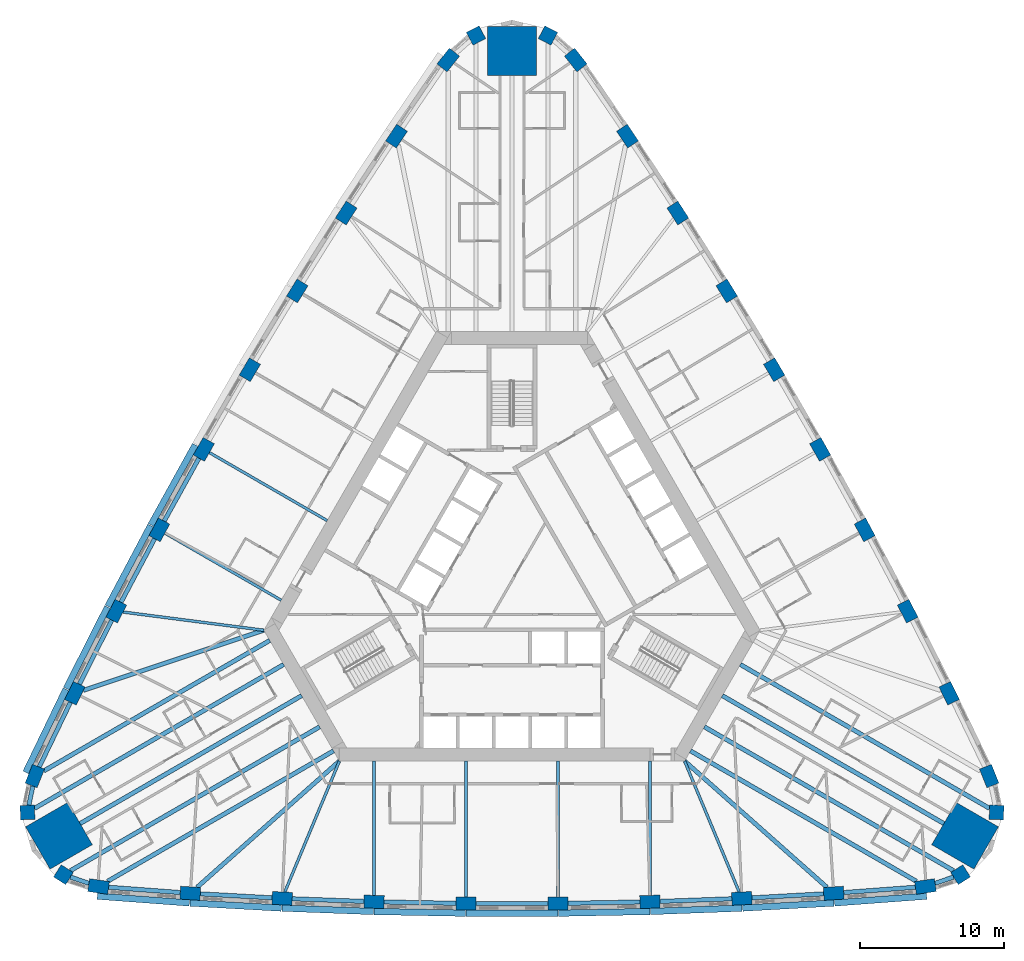
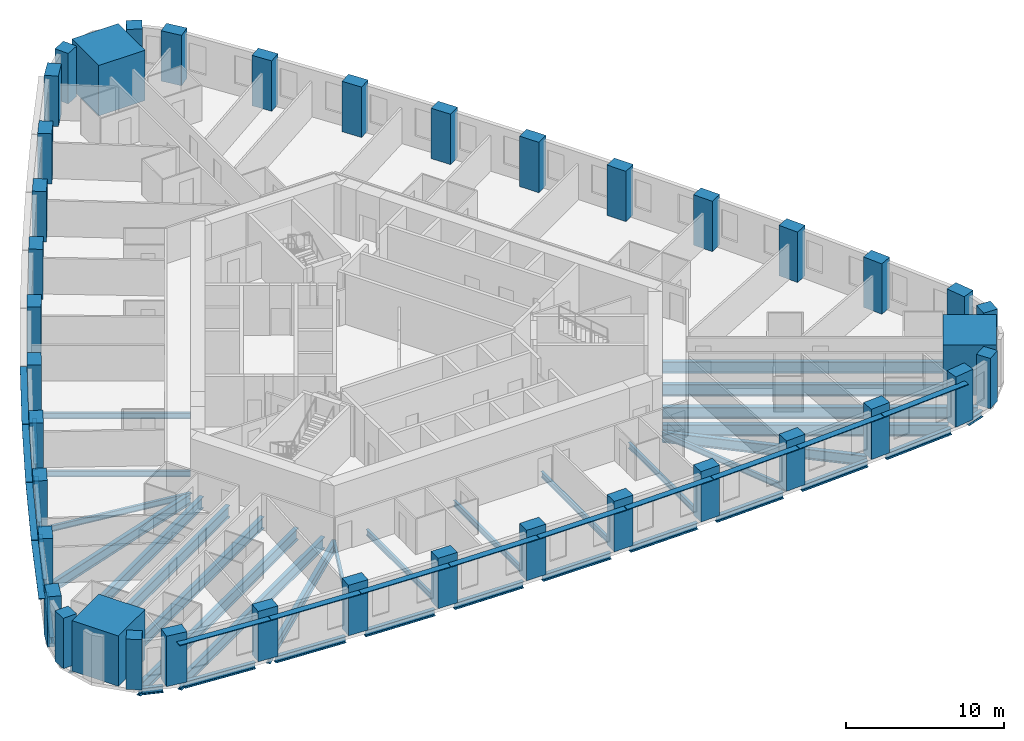
# One storey, part 1 of 13: 39 columns, 37 beams, 13 members.
"""IFC4 building model written with IfcOpenShell, lengths in metres."""

from ifc_helpers import new_model, si_unit, direction, frame, origin, origin_2d, place, context, subcontext, project, spatial, rectangle, i_section, extrude, material, material_profile, profile_set, type_object, element, save


model = new_model("IFC4")

# Units and contexts
model_context = context("Model", 3, precision=1e-05, world=origin(), true_north=direction((0.0, 1.0)))
body_context = subcontext(model_context, "Body", "Model", "MODEL_VIEW")
ifc_project = project(units=[si_unit("LENGTHUNIT", "METRE"), si_unit("AREAUNIT", "SQUARE_METRE"), si_unit("VOLUMEUNIT", "CUBIC_METRE"), si_unit("PLANEANGLEUNIT", "RADIAN"), si_unit("MASSUNIT", "GRAM", prefix="KILO")], contexts=[model_context])

# Site, building, storey
site_placement = place(None, origin())
site = spatial("IfcSite", under=ifc_project, at=site_placement, CompositionType="ELEMENT")
building_placement = place(site_placement, origin())
building = spatial("IfcBuilding", under=site, at=building_placement, Name="Mestral Congress Tower", CompositionType="ELEMENT")
storey_placement = place(building_placement, frame((0.0, 0.0, 58.800048828125)))
storey = spatial("IfcBuildingStorey", under=building, at=storey_placement, Name="L13", CompositionType="ELEMENT", Elevation=58.800048828125)

# Columns
ifc_material_1 = material(Name="Concrete C70/85", Category="concrete")
ifc_material_profile_1 = material_profile(ifc_material_1, rectangle(XDim=1.0, YDim=1.0, at=origin_2d()), Name="RC 1000x1000")
ifc_profile_set_1 = profile_set([ifc_material_profile_1], Name="Concrete C70/85")
column_type_1 = type_object("IfcColumnType", Name="Column RC 1000x1000 C70/85", PredefinedType="COLUMN", material=ifc_profile_set_1)
for number, where, z_axis, x_axis, name in (
    (1, (31.210205078125, -20.90966796875, 0.0), (0.0, 0.0, 1.0), (0.844485001826, 0.535579202071, 0.0), "COL-L13-C1-SE1"),
    (2, (33.71337890625, -16.573974609375, 0.0), (0.0, 0.0, 1.0), (0.041582693819, 0.999135065732, 0.0), "COL-L13-C1-SE3"),
    (3, (2.503173828125, 37.483642578125, 0.0), (0.0, 0.0, 1.0), (-0.886067695645, 0.463555863661, 0.0), "COL-L13-C1-N1"),
    (4, (-2.503173828125, 37.483642578125, 0.0), (0.0, 0.0, 1.0), (-0.886067695645, -0.463555863661, 0.0), "COL-L13-C1-N3"),
    (5, (-33.71337890625, -16.573974609375, 0.0), (0.0, 0.0, 1.0), (0.041582693819, -0.999135065732, 0.0), "COL-L13-C1-SW1"),
    (6, (-31.210205078125, -20.90966796875, 0.0), (0.0, 0.0, 1.0), (0.844485001826, -0.535579202071, 0.0), "COL-L13-C1-SW3"),
):
    element("IfcColumn", number, at=place(storey_placement, frame(where, z_axis=z_axis, x_axis=x_axis)), inside=storey, type_object=column_type_1, Name=name, PredefinedType="COLUMN", context=body_context, shape_type="SweptSolid", body=[
        extrude(rectangle(XDim=1.0, YDim=1.0, at=origin_2d()), origin(), (0.0, 0.0, 1.0), 3.89990234375),
    ])
ifc_material_profile_2 = material_profile(ifc_material_1, rectangle(XDim=1.39990234375, YDim=0.89990234375, at=origin_2d()), Name="RC 1400x900")
ifc_profile_set_2 = profile_set([ifc_material_profile_2], Name="Concrete C70/85")
column_type_2 = type_object("IfcColumnType", Name="Column RC 1400x900 C70/85", PredefinedType="COLUMN", material=ifc_profile_set_2)
for number, where, z_axis, x_axis, name in (
    (7, (-28.766845703125, -21.730712890625, 0.0), (0.0, 0.0, 1.0), (0.989423502484, -0.145055619443, 0.0), "COL-L13-C1-S00"),
    (8, (-22.384521484375, -22.20361328125, 0.0), (0.0, 0.0, 1.0), (0.997907501024, -0.064657709518, 0.0), "COL-L13-C1-S01"),
    (9, (-15.994384765625, -22.558349609375, 0.0), (0.0, 0.0, 1.0), (0.998932216029, -0.04619986774, 0.0), "COL-L13-C1-S02"),
    (10, (-9.598876953125, -22.794921875, 0.0), (0.0, 0.0, 1.0), (0.999615553977, -0.027726237529, 0.0), "COL-L13-C1-S03"),
    (11, (-3.199951171875, -22.9130859375, 0.0), (0.0, 0.0, 1.0), (0.999957281342, -0.009243132098, 0.0), "COL-L13-C1-S04"),
    (12, (3.199951171875, -22.9130859375, 0.0), (0.0, 0.0, 1.0), (0.999957281342, 0.009243132098, 0.0), "COL-L13-C1-S05"),
    (13, (9.598876953125, -22.794921875, 0.0), (0.0, 0.0, 1.0), (0.999615553977, 0.027726237529, 0.0), "COL-L13-C1-S06"),
    (14, (15.994384765625, -22.558349609375, 0.0), (0.0, 0.0, 1.0), (0.998932216029, 0.04619986774, 0.0), "COL-L13-C1-S07"),
    (15, (22.384521484375, -22.20361328125, 0.0), (0.0, 0.0, 1.0), (0.997907501024, 0.064657709518, 0.0), "COL-L13-C1-S08"),
    (16, (28.766845703125, -21.730712890625, 0.0), (0.0, 0.0, 1.0), (0.989423502484, 0.145055619443, 0.0), "COL-L13-C1-S09"),
    (17, (33.202880859375, -14.04736328125, 0.0), (0.0, 0.0, 1.0), (-0.369089899843, 0.929393697974, 0.0), "COL-L13-C1-E00"),
    (18, (30.421142578125, -8.28369140625, 0.0), (0.0, 0.0, 1.0), (-0.442958531519, 0.896542101273, 0.0), "COL-L13-C1-E01"),
    (19, (27.533203125, -2.572265625, 0.0), (0.0, 0.0, 1.0), (-0.4594558489, 0.88820060961, 0.0), "COL-L13-C1-E02"),
    (20, (24.540283203125, 3.084716796875, 0.0), (0.0, 0.0, 1.0), (-0.475796150937, 0.879555582526, 0.0), "COL-L13-C1-E03"),
    (21, (21.443359375, 8.685302734375, 0.0), (0.0, 0.0, 1.0), (-0.491973853463, 0.870609974391, 0.0), "COL-L13-C1-E04"),
    (22, (18.243408203125, 14.227783203125, 0.0), (0.0, 0.0, 1.0), (-0.507983427879, 0.861366842292, 0.0), "COL-L13-C1-E05"),
    (23, (14.941650390625, 19.710205078125, 0.0), (0.0, 0.0, 1.0), (-0.52381940304, 0.851829344998, 0.0), "COL-L13-C1-E06"),
    (24, (11.5390625, 25.130615234375, 0.0), (0.0, 0.0, 1.0), (-0.539476367129, 0.84200074187, 0.0), "COL-L13-C1-E07"),
    (25, (8.03662109375, 30.4873046875, 0.0), (0.0, 0.0, 1.0), (-0.554948969505, 0.831884391755, 0.0), "COL-L13-C1-E08"),
    (26, (4.43603515625, 35.7783203125, 0.0), (0.0, 0.0, 1.0), (-0.620333602641, 0.784338078531, 0.0), "COL-L13-C1-E09"),
    (27, (-4.43603515625, 35.7783203125, 0.0), (0.0, 0.0, 1.0), (-0.620333602641, -0.784338078531, 0.0), "COL-L13-C1-W00"),
    (28, (-8.03662109375, 30.4873046875, 0.0), (0.0, 0.0, 1.0), (-0.554948969505, -0.831884391755, 0.0), "COL-L13-C1-W01"),
    (29, (-11.5390625, 25.130615234375, 0.0), (0.0, 0.0, 1.0), (-0.539476367129, -0.84200074187, 0.0), "COL-L13-C1-W02"),
    (30, (-14.941650390625, 19.710205078125, 0.0), (0.0, 0.0, 1.0), (-0.52381940304, -0.851829344998, 0.0), "COL-L13-C1-W03"),
    (31, (-18.243408203125, 14.227783203125, 0.0), (0.0, 0.0, 1.0), (-0.507983427879, -0.861366842292, 0.0), "COL-L13-C1-W04"),
    (32, (-21.443359375, 8.685302734375, 0.0), (0.0, 0.0, 1.0), (-0.491973853463, -0.870609974391, 0.0), "COL-L13-C1-W05"),
    (33, (-24.540283203125, 3.084716796875, 0.0), (0.0, 0.0, 1.0), (-0.475796150937, -0.879555582526, 0.0), "COL-L13-C1-W06"),
    (34, (-27.533203125, -2.572265625, 0.0), (0.0, 0.0, 1.0), (-0.4594558489, -0.88820060961, 0.0), "COL-L13-C1-W07"),
    (35, (-30.421142578125, -8.28369140625, 0.0), (0.0, 0.0, 1.0), (-0.442958531519, -0.896542101273, 0.0), "COL-L13-C1-W08"),
    (36, (-33.202880859375, -14.04736328125, 0.0), (0.0, 0.0, 1.0), (-0.369089899843, -0.929393697974, 0.0), "COL-L13-C1-W09"),
):
    element("IfcColumn", number, at=place(storey_placement, frame(where, z_axis=z_axis, x_axis=x_axis)), inside=storey, type_object=column_type_2, Name=name, PredefinedType="COLUMN", context=body_context, shape_type="SweptSolid", body=[
        extrude(rectangle(XDim=1.39990234375, YDim=0.89990234375, at=origin_2d()), origin(), (0.0, 0.0, 1.0), 3.89990234375),
    ])
ifc_material_2 = material(Name="Concrete C80/95", Category="concrete")
ifc_material_profile_3 = material_profile(ifc_material_2, rectangle(XDim=3.39990234375, YDim=3.39990234375, at=origin_2d()), Name="RC 3400x3400")
ifc_profile_set_3 = profile_set([ifc_material_profile_3], Name="Concrete C80/95")
column_type_3 = type_object("IfcColumnType", Name="Mega column RC 3400x3400 C80/95", PredefinedType="COLUMN", material=ifc_profile_set_3)
for number, where, z_axis, x_axis, name in (
    (37, (31.5224609375, -18.199462890625, 0.0), (0.0, 0.0, 1.0), (0.866025403784, -0.5, 0.0), "COL-L13-PY1-SE"),
    (38, (0.0, 36.39892578125, 0.0), (0.0, 0.0, 1.0), (0.0, 1.0, 0.0), "COL-L13-PY1-N"),
    (39, (-31.5224609375, -18.199462890625, 0.0), (0.0, 0.0, 1.0), (-0.866025403784, -0.5, 0.0), "COL-L13-PY1-SW"),
):
    element("IfcColumn", number, at=place(storey_placement, frame(where, z_axis=z_axis, x_axis=x_axis)), inside=storey, type_object=column_type_3, Name=name, PredefinedType="COLUMN", context=body_context, shape_type="SweptSolid", body=[
        extrude(rectangle(XDim=3.39990234375, YDim=3.39990234375, at=origin_2d()), origin(), (0.0, 0.0, 1.0), 3.89990234375),
    ])

# Members
ifc_material_3 = material(Name="Glazed ceramic", Category="masonry")
ifc_material_profile_4 = material_profile(ifc_material_3, rectangle(XDim=0.449951171875, YDim=0.06005859375, at=origin_2d()), Name="Ceramic blade 450 x 60")
ifc_profile_set_4 = profile_set([ifc_material_profile_4], Name="Glazed ceramic")
member_type = type_object("IfcMemberType", Name="Facade sunshade blade 450 x 60", PredefinedType="USERDEFINED", material=ifc_profile_set_4)
member_1_placement = place(storey_placement, frame((-28.853271484375, -22.4013671875, 3.280029296875), z_axis=(0.997269829073, -0.073843672858, 0.0), x_axis=(0.073843672858, 0.997269829073, 0.0)))
element("IfcMember", 40, at=member_1_placement, inside=storey, type_object=member_type, Name="Sunshade F0-00", ObjectType="SUNSHADE", PredefinedType="USERDEFINED", context=body_context, shape_type="SweptSolid", body=[
    extrude(rectangle(XDim=0.449951171875, YDim=0.06005859375, at=origin_2d()), origin(), (0.0, 0.0, 1.0), 6.420654296875),
])
member_2_placement = place(storey_placement, frame((-22.406005859375, -22.87841796875, 3.280029296875), z_axis=(0.998462240013, -0.055436046654, 0.0), x_axis=(0.055436046654, 0.998462240013, 0.0)))
element("IfcMember", 41, at=member_2_placement, inside=storey, type_object=member_type, Name="Sunshade F0-01", ObjectType="SUNSHADE", PredefinedType="USERDEFINED", context=body_context, shape_type="SweptSolid", body=[
    extrude(rectangle(XDim=0.449951171875, YDim=0.06005859375, at=origin_2d()), origin(), (0.0, 0.0, 1.0), 6.3681640625),
])
member_3_placement = place(storey_placement, frame((-16.00341796875, -23.2333984375, 3.280029296875), z_axis=(0.99931546381, -0.036994645436, 0.0), x_axis=(0.036994645436, 0.99931546381, 0.0)))
element("IfcMember", 42, at=member_3_placement, inside=storey, type_object=member_type, Name="Sunshade F0-02", ObjectType="SUNSHADE", PredefinedType="USERDEFINED", context=body_context, shape_type="SweptSolid", body=[
    extrude(rectangle(XDim=0.449951171875, YDim=0.06005859375, at=origin_2d()), origin(), (0.0, 0.0, 1.0), 6.368408203125),
])
for number, where, z_axis, x_axis, name in (
    (43, (-9.595458984375, -23.47021484375, 3.280029296875), (0.99982925906, -0.018478439527, 0.0), (0.018478439527, 0.99982925906, 0.0), "Sunshade F0-03"),
    (44, (-3.18408203125, -23.588134765625, 3.280029296875), (1.0, 0.0, 0.0), (0.0, 1.0, 0.0), "Sunshade F0-04"),
    (45, (3.228271484375, -23.587890625, 3.280029296875), (0.99982925906, 0.018478439527, 0.0), (-0.018478439527, 0.99982925906, 0.0), "Sunshade F0-05"),
):
    element("IfcMember", number, at=place(storey_placement, frame(where, z_axis=z_axis, x_axis=x_axis)), inside=storey, type_object=member_type, Name=name, ObjectType="SUNSHADE", PredefinedType="USERDEFINED", context=body_context, shape_type="SweptSolid", body=[
        extrude(rectangle(XDim=0.449951171875, YDim=0.06005859375, at=origin_2d()), origin(), (0.0, 0.0, 1.0), 6.3681640625),
    ])
member_4_placement = place(storey_placement, frame((9.639404296875, -23.468994140625, 3.280029296875), z_axis=(0.99931546381, 0.036994645436, 0.0), x_axis=(-0.036994645436, 0.99931546381, 0.0)))
element("IfcMember", 46, at=member_4_placement, inside=storey, type_object=member_type, Name="Sunshade F0-06", ObjectType="SUNSHADE", PredefinedType="USERDEFINED", context=body_context, shape_type="SweptSolid", body=[
    extrude(rectangle(XDim=0.449951171875, YDim=0.06005859375, at=origin_2d()), origin(), (0.0, 0.0, 1.0), 6.368408203125),
])
member_5_placement = place(storey_placement, frame((16.047607421875, -23.2314453125, 3.280029296875), z_axis=(0.998462240013, 0.055436046654, 0.0), x_axis=(-0.055436046654, 0.998462240013, 0.0)))
element("IfcMember", 47, at=member_5_placement, inside=storey, type_object=member_type, Name="Sunshade F0-07", ObjectType="SUNSHADE", PredefinedType="USERDEFINED", context=body_context, shape_type="SweptSolid", body=[
    extrude(rectangle(XDim=0.449951171875, YDim=0.06005859375, at=origin_2d()), origin(), (0.0, 0.0, 1.0), 6.3681640625),
])
member_6_placement = place(storey_placement, frame((22.4501953125, -22.87548828125, 3.280029296875), z_axis=(0.997269829073, 0.073843672858, 0.0), x_axis=(-0.073843672858, 0.997269829073, 0.0)))
element("IfcMember", 48, at=member_6_placement, inside=storey, type_object=member_type, Name="Sunshade F0-08", ObjectType="SUNSHADE", PredefinedType="USERDEFINED", context=body_context, shape_type="SweptSolid", body=[
    extrude(rectangle(XDim=0.449951171875, YDim=0.06005859375, at=origin_2d()), origin(), (0.0, 0.0, 1.0), 6.420654296875),
])
for number, where, z_axis, x_axis, name in (
    (49, (-22.041748046875, 8.998291015625, 3.280029296875), (-0.483893994258, -0.875126620736, 0.0), (0.875126620736, -0.483893994258, 0.0), "Sunshade F2-05"),
    (50, (-25.144287109375, 3.38623046875, 3.280029296875), (-0.467674573128, -0.883900726128, 0.0), (0.883900726128, -0.467674573128, 0.0), "Sunshade F2-06"),
    (51, (-28.142822265625, -2.28173828125, 3.280029296875), (-0.451226804026, -0.892409307061, 0.0), (0.892409307061, -0.451226804026, 0.0), "Sunshade F2-07"),
):
    element("IfcMember", number, at=place(storey_placement, frame(where, z_axis=z_axis, x_axis=x_axis)), inside=storey, type_object=member_type, Name=name, ObjectType="SUNSHADE", PredefinedType="USERDEFINED", context=body_context, shape_type="SweptSolid", body=[
        extrude(rectangle(XDim=0.449951171875, YDim=0.06005859375, at=origin_2d()), origin(), (0.0, 0.0, 1.0), 6.3681640625),
    ])
member_7_placement = place(storey_placement, frame((-31.035888671875, -8.00439453125, 3.280029296875), z_axis=(-0.434637414368, -0.900605528537, 0.0), x_axis=(0.900605528537, -0.434637414368, 0.0)))
element("IfcMember", 52, at=member_7_placement, inside=storey, type_object=member_type, Name="Sunshade F2-08", ObjectType="SUNSHADE", PredefinedType="USERDEFINED", context=body_context, shape_type="SweptSolid", body=[
    extrude(rectangle(XDim=0.449951171875, YDim=0.06005859375, at=origin_2d()), origin(), (0.0, 0.0, 1.0), 6.4208984375),
])

# Beams
ifc_material_4 = material(Name="Steel S355", Category="steel")
ifc_material_profile_5 = material_profile(ifc_material_4, i_section(OverallWidth=0.300048828125, OverallDepth=0.800048828125, WebThickness=0.017578125, FlangeThickness=0.032958984375, FilletRadius=0.030029296875, at=origin_2d()), Name="HEB 800")
ifc_profile_set_5 = profile_set([ifc_material_profile_5], Name="Steel S355")
beam_type_1 = type_object("IfcBeamType", Name="Floor beam HEB 800 S355", PredefinedType="BEAM", material=ifc_profile_set_5)
for number, where, z_axis, x_axis, name in (
    (53, (-21.91064453125, -21.783447265625, -0.650146484375), (0.748091770025, 0.663595286015, 0.0), (-0.663595286015, 0.748091770025, 0.0), "BM-L13-RB1-S01"),
    (54, (21.91064453125, -21.783447265625, -0.650146484375), (-0.748091770025, 0.663595286015, 0.0), (-0.663595286015, -0.748091770025, 0.0), "BM-L13-RB1-S08"),
    (55, (-29.8203125, -8.08349609375, -0.650146484375), (0.948734931285, 0.316072824141, 0.0), (-0.316072824141, 0.948734931285, 0.0), "BM-L13-RB1-W08"),
):
    element("IfcBeam", number, at=place(storey_placement, frame(where, z_axis=z_axis, x_axis=x_axis)), inside=storey, type_object=beam_type_1, Name=name, PredefinedType="BEAM", context=body_context, shape_type="SweptSolid", body=[
        extrude(i_section(OverallWidth=0.300048828125, OverallDepth=0.800048828125, WebThickness=0.017578125, FlangeThickness=0.032958984375, FilletRadius=0.030029296875, at=origin_2d()), origin(), (0.0, 0.0, 1.0), 13.236083984375),
    ])
ifc_material_profile_6 = material_profile(ifc_material_4, i_section(OverallWidth=0.300048828125, OverallDepth=0.89990234375, WebThickness=0.0185546875, FlangeThickness=0.034912109375, FilletRadius=0.030029296875, at=origin_2d()), Name="HEB 900")
ifc_profile_set_6 = profile_set([ifc_material_profile_6], Name="Steel S355")
beam_type_2 = type_object("IfcBeamType", Name="Floor beam HEB 900 S355", PredefinedType="BEAM", material=ifc_profile_set_6)
for number, where, z_axis, x_axis, name in (
    (56, (-28.138671875, -21.3681640625, -0.699951171875), (0.866027243369, 0.499996813733, 0.0), (-0.499996813733, 0.866027243369, 0.0), "BM-L13-RB1-S00"),
    (57, (28.138671875, -21.3681640625, -0.699951171875), (-0.866027243369, 0.499996813733, 0.0), (-0.499996813733, -0.866027243369, 0.0), "BM-L13-RB1-S09"),
):
    element("IfcBeam", number, at=place(storey_placement, frame(where, z_axis=z_axis, x_axis=x_axis)), inside=storey, type_object=beam_type_2, Name=name, PredefinedType="BEAM", context=body_context, shape_type="SweptSolid", body=[
        extrude(i_section(OverallWidth=0.300048828125, OverallDepth=0.89990234375, WebThickness=0.0185546875, FlangeThickness=0.034912109375, FilletRadius=0.030029296875, at=origin_2d()), origin(), (0.0, 0.0, 1.0), 18.15283203125),
    ])
beam_1_placement = place(storey_placement, frame((30.721435546875, -20.62744140625, -0.699951171875), z_axis=(-0.866027382289, 0.499996573113, 0.0), x_axis=(-0.499996573113, -0.866027382289, 0.0)))
element("IfcBeam", 58, at=beam_1_placement, inside=storey, type_object=beam_type_2, Name="BM-L13-RB1-SE1", PredefinedType="BEAM", context=body_context, shape_type="SweptSolid", body=[
    extrude(i_section(OverallWidth=0.300048828125, OverallDepth=0.89990234375, WebThickness=0.0185546875, FlangeThickness=0.034912109375, FilletRadius=0.030029296875, at=origin_2d()), origin(), (0.0, 0.0, 1.0), 20.019287109375),
])
beam_2_placement = place(storey_placement, frame((30.050048828125, -17.349609375, -0.699951171875), z_axis=(-0.866020438056, 0.500008600796, 0.0), x_axis=(-0.500008600796, -0.866020438056, 0.0)))
element("IfcBeam", 59, at=beam_2_placement, inside=storey, type_object=beam_type_2, Name="BM-L13-RB1-SE", PredefinedType="BEAM", context=body_context, shape_type="SweptSolid", body=[
    extrude(i_section(OverallWidth=0.300048828125, OverallDepth=0.89990234375, WebThickness=0.0185546875, FlangeThickness=0.034912109375, FilletRadius=0.030029296875, at=origin_2d()), origin(), (0.0, 0.0, 1.0), 17.799072265625),
])
beam_3_placement = place(storey_placement, frame((33.224609375, -16.291748046875, -0.699951171875), z_axis=(-0.866027382289, 0.499996573113, 0.0), x_axis=(-0.499996573113, -0.866027382289, 0.0)))
element("IfcBeam", 60, at=beam_3_placement, inside=storey, type_object=beam_type_2, Name="BM-L13-RB1-SE3", PredefinedType="BEAM", context=body_context, shape_type="SweptSolid", body=[
    extrude(i_section(OverallWidth=0.300048828125, OverallDepth=0.89990234375, WebThickness=0.0185546875, FlangeThickness=0.034912109375, FilletRadius=0.030029296875, at=origin_2d()), origin(), (0.0, 0.0, 1.0), 20.019287109375),
])
beam_4_placement = place(storey_placement, frame((-32.574462890625, -13.6845703125, -0.699951171875), z_axis=(0.866029704776, 0.49999255039, 0.0), x_axis=(-0.49999255039, 0.866029704776, 0.0)))
element("IfcBeam", 61, at=beam_4_placement, inside=storey, type_object=beam_type_2, Name="BM-L13-RB1-W09", PredefinedType="BEAM", context=body_context, shape_type="SweptSolid", body=[
    extrude(i_section(OverallWidth=0.300048828125, OverallDepth=0.89990234375, WebThickness=0.0185546875, FlangeThickness=0.034912109375, FilletRadius=0.030029296875, at=origin_2d()), origin(), (0.0, 0.0, 1.0), 18.152587890625),
])
beam_5_placement = place(storey_placement, frame((-33.224609375, -16.291748046875, -0.699951171875), z_axis=(0.866027382289, 0.499996573113, 0.0), x_axis=(-0.499996573113, 0.866027382289, 0.0)))
element("IfcBeam", 62, at=beam_5_placement, inside=storey, type_object=beam_type_2, Name="BM-L13-RB1-SW1", PredefinedType="BEAM", context=body_context, shape_type="SweptSolid", body=[
    extrude(i_section(OverallWidth=0.300048828125, OverallDepth=0.89990234375, WebThickness=0.0185546875, FlangeThickness=0.034912109375, FilletRadius=0.030029296875, at=origin_2d()), origin(), (0.0, 0.0, 1.0), 20.019287109375),
])
beam_6_placement = place(storey_placement, frame((-30.050048828125, -17.349609375, -0.699951171875), z_axis=(0.866020438056, 0.500008600796, 0.0), x_axis=(-0.500008600796, 0.866020438056, 0.0)))
element("IfcBeam", 63, at=beam_6_placement, inside=storey, type_object=beam_type_2, Name="BM-L13-RB1-SW", PredefinedType="BEAM", context=body_context, shape_type="SweptSolid", body=[
    extrude(i_section(OverallWidth=0.300048828125, OverallDepth=0.89990234375, WebThickness=0.0185546875, FlangeThickness=0.034912109375, FilletRadius=0.030029296875, at=origin_2d()), origin(), (0.0, 0.0, 1.0), 17.799072265625),
])
beam_7_placement = place(storey_placement, frame((-30.721435546875, -20.62744140625, -0.699951171875), z_axis=(0.866027382289, 0.499996573113, 0.0), x_axis=(-0.499996573113, 0.866027382289, 0.0)))
element("IfcBeam", 64, at=beam_7_placement, inside=storey, type_object=beam_type_2, Name="BM-L13-RB1-SW3", PredefinedType="BEAM", context=body_context, shape_type="SweptSolid", body=[
    extrude(i_section(OverallWidth=0.300048828125, OverallDepth=0.89990234375, WebThickness=0.0185546875, FlangeThickness=0.034912109375, FilletRadius=0.030029296875, at=origin_2d()), origin(), (0.0, 0.0, 1.0), 20.019287109375),
])
ifc_material_profile_7 = material_profile(ifc_material_4, i_section(OverallWidth=0.18994140625, OverallDepth=0.449951171875, WebThickness=0.009521484375, FlangeThickness=0.0146484375, FilletRadius=0.02099609375, at=origin_2d()), Name="IPE 450")
ifc_profile_set_7 = profile_set([ifc_material_profile_7], Name="Steel S355")
beam_type_3 = type_object("IfcBeamType", Name="Floor beam IPE 450 S355", PredefinedType="BEAM", material=ifc_profile_set_7)
beam_8_placement = place(storey_placement, frame((-15.81005859375, -22.116455078125, -0.47509765625), z_axis=(0.384852309441, 0.922978168711, 0.0), x_axis=(-0.922978168711, 0.384852309441, 0.0)))
element("IfcBeam", 65, at=beam_8_placement, inside=storey, type_object=beam_type_3, Name="BM-L13-RB1-S02", PredefinedType="BEAM", context=body_context, shape_type="SweptSolid", body=[
    extrude(i_section(OverallWidth=0.18994140625, OverallDepth=0.449951171875, WebThickness=0.009521484375, FlangeThickness=0.0146484375, FilletRadius=0.02099609375, at=origin_2d()), origin(), (0.0, 0.0, 1.0), 9.877197265625),
])
beam_9_placement = place(storey_placement, frame((-9.598876953125, -22.3447265625, -0.47509765625), z_axis=(0.0, 1.0, 0.0), x_axis=(-1.0, 0.0, 0.0)))
element("IfcBeam", 66, at=beam_9_placement, inside=storey, type_object=beam_type_3, Name="BM-L13-RB1-S03", PredefinedType="BEAM", context=body_context, shape_type="SweptSolid", body=[
    extrude(i_section(OverallWidth=0.18994140625, OverallDepth=0.449951171875, WebThickness=0.009521484375, FlangeThickness=0.0146484375, FilletRadius=0.02099609375, at=origin_2d()), origin(), (0.0, 0.0, 1.0), 9.3447265625),
])
for number, where, z_axis, x_axis, name in (
    (67, (-3.199951171875, -22.463134765625, -0.47509765625), (0.0, 1.0, 0.0), (-1.0, 0.0, 0.0), "BM-L13-RB1-S04"),
    (68, (3.199951171875, -22.463134765625, -0.47509765625), (0.0, 1.0, 0.0), (-1.0, 0.0, 0.0), "BM-L13-RB1-S05"),
):
    element("IfcBeam", number, at=place(storey_placement, frame(where, z_axis=z_axis, x_axis=x_axis)), inside=storey, type_object=beam_type_3, Name=name, PredefinedType="BEAM", context=body_context, shape_type="SweptSolid", body=[
        extrude(i_section(OverallWidth=0.18994140625, OverallDepth=0.449951171875, WebThickness=0.009521484375, FlangeThickness=0.0146484375, FilletRadius=0.02099609375, at=origin_2d()), origin(), (0.0, 0.0, 1.0), 9.463134765625),
    ])
beam_10_placement = place(storey_placement, frame((9.598876953125, -22.3447265625, -0.47509765625), z_axis=(0.0, 1.0, 0.0), x_axis=(-1.0, 0.0, 0.0)))
element("IfcBeam", 69, at=beam_10_placement, inside=storey, type_object=beam_type_3, Name="BM-L13-RB1-S06", PredefinedType="BEAM", context=body_context, shape_type="SweptSolid", body=[
    extrude(i_section(OverallWidth=0.18994140625, OverallDepth=0.449951171875, WebThickness=0.009521484375, FlangeThickness=0.0146484375, FilletRadius=0.02099609375, at=origin_2d()), origin(), (0.0, 0.0, 1.0), 9.3447265625),
])
beam_11_placement = place(storey_placement, frame((15.81005859375, -22.116455078125, -0.47509765625), z_axis=(-0.384852309441, 0.922978168711, 0.0), x_axis=(-0.922978168711, -0.384852309441, 0.0)))
element("IfcBeam", 70, at=beam_11_placement, inside=storey, type_object=beam_type_3, Name="BM-L13-RB1-S07", PredefinedType="BEAM", context=body_context, shape_type="SweptSolid", body=[
    extrude(i_section(OverallWidth=0.18994140625, OverallDepth=0.449951171875, WebThickness=0.009521484375, FlangeThickness=0.0146484375, FilletRadius=0.02099609375, at=origin_2d()), origin(), (0.0, 0.0, 1.0), 9.877197265625),
])
beam_12_placement = place(storey_placement, frame((-21.0537109375, 8.46044921875, -0.47509765625), z_axis=(0.866019749231, -0.500009793847, 0.0), x_axis=(0.500009793847, 0.866019749231, 0.0)))
element("IfcBeam", 71, at=beam_12_placement, inside=storey, type_object=beam_type_3, Name="BM-L13-RB1-W05", PredefinedType="BEAM", context=body_context, shape_type="SweptSolid", body=[
    extrude(i_section(OverallWidth=0.18994140625, OverallDepth=0.449951171875, WebThickness=0.009521484375, FlangeThickness=0.0146484375, FilletRadius=0.02099609375, at=origin_2d()), origin(), (0.0, 0.0, 1.0), 9.463134765625),
])
beam_13_placement = place(storey_placement, frame((-24.150634765625, 2.859619140625, -0.47509765625), z_axis=(0.866032011123, -0.499988555579, 0.0), x_axis=(0.499988555579, 0.866032011123, 0.0)))
element("IfcBeam", 72, at=beam_13_placement, inside=storey, type_object=beam_type_3, Name="BM-L13-RB1-W06", PredefinedType="BEAM", context=body_context, shape_type="SweptSolid", body=[
    extrude(i_section(OverallWidth=0.18994140625, OverallDepth=0.449951171875, WebThickness=0.009521484375, FlangeThickness=0.0146484375, FilletRadius=0.02099609375, at=origin_2d()), origin(), (0.0, 0.0, 1.0), 9.344970703125),
])
beam_14_placement = place(storey_placement, frame((-27.058349609375, -2.6337890625, -0.47509765625), z_axis=(0.99175011495, -0.128186229747, 0.0), x_axis=(0.128186229747, 0.99175011495, 0.0)))
element("IfcBeam", 73, at=beam_14_placement, inside=storey, type_object=beam_type_3, Name="BM-L13-RB1-W07", PredefinedType="BEAM", context=body_context, shape_type="SweptSolid", body=[
    extrude(i_section(OverallWidth=0.18994140625, OverallDepth=0.449951171875, WebThickness=0.009521484375, FlangeThickness=0.0146484375, FilletRadius=0.02099609375, at=origin_2d()), origin(), (0.0, 0.0, 1.0), 9.877197265625),
])
ifc_material_profile_8 = material_profile(ifc_material_4, i_section(OverallWidth=0.300048828125, OverallDepth=0.489990234375, WebThickness=0.011962890625, FlangeThickness=0.02294921875, FilletRadius=0.027099609375, at=origin_2d()), Name="HEA 500")
ifc_profile_set_8 = profile_set([ifc_material_profile_8], Name="Steel S355")
beam_type_4 = type_object("IfcBeamType", Name="Spandrel beam HEA 500 S355", PredefinedType="BEAM", material=ifc_profile_set_8)
beam_15_placement = place(storey_placement, frame((-28.06689453125, -21.78271484375, -0.4951171875), z_axis=(0.997268820599, -0.073857291181, 0.0), x_axis=(0.073857291181, 0.997268820599, 0.0)))
element("IfcBeam", 74, at=beam_15_placement, inside=storey, type_object=beam_type_4, Name="SP-L13-SB1-S00", PredefinedType="BEAM", context=body_context, shape_type="SweptSolid", body=[
    extrude(i_section(OverallWidth=0.300048828125, OverallDepth=0.489990234375, WebThickness=0.011962890625, FlangeThickness=0.02294921875, FilletRadius=0.027099609375, at=origin_2d()), origin(), (0.0, 0.0, 1.0), 4.998046875),
])
for number, where, z_axis, x_axis, name in (
    (75, (-21.685546875, -22.242431640625, -0.4951171875), (0.998463056415, -0.055421340426, 0.0), (0.055421340426, 0.998463056415, 0.0), "SP-L13-SB1-S01"),
    (76, (-15.294677734375, -22.584228515625, -0.4951171875), (0.999316571833, -0.036964702901, 0.0), (0.036964702901, 0.999316571833, 0.0), "SP-L13-SB1-S02"),
    (77, (-8.89892578125, -22.807861328125, -0.4951171875), (0.999829645984, -0.018457492, 0.0), (0.018457492, 0.999829645984, 0.0), "SP-L13-SB1-S03"),
):
    element("IfcBeam", number, at=place(storey_placement, frame(where, z_axis=z_axis, x_axis=x_axis)), inside=storey, type_object=beam_type_4, Name=name, PredefinedType="BEAM", context=body_context, shape_type="SweptSolid", body=[
        extrude(i_section(OverallWidth=0.300048828125, OverallDepth=0.489990234375, WebThickness=0.011962890625, FlangeThickness=0.02294921875, FilletRadius=0.027099609375, at=origin_2d()), origin(), (0.0, 0.0, 1.0), 4.999755859375),
    ])
beam_16_placement = place(storey_placement, frame((-2.5, -22.9130859375, -0.4951171875), z_axis=(1.0, 0.0, 0.0), x_axis=(0.0, 1.0, 0.0)))
element("IfcBeam", 78, at=beam_16_placement, inside=storey, type_object=beam_type_4, Name="SP-L13-SB1-S04", PredefinedType="BEAM", context=body_context, shape_type="SweptSolid", body=[
    extrude(i_section(OverallWidth=0.300048828125, OverallDepth=0.489990234375, WebThickness=0.011962890625, FlangeThickness=0.02294921875, FilletRadius=0.027099609375, at=origin_2d()), origin(), (0.0, 0.0, 1.0), 5.0),
])
for number, where, z_axis, x_axis, name in (
    (79, (3.89990234375, -22.900146484375, -0.4951171875), (0.999829645984, 0.018457492, 0.0), (-0.018457492, 0.999829645984, 0.0), "SP-L13-SB1-S05"),
    (80, (10.29833984375, -22.76904296875, -0.4951171875), (0.999316571833, 0.036964702901, 0.0), (-0.036964702901, 0.999316571833, 0.0), "SP-L13-SB1-S06"),
    (81, (16.693359375, -22.51953125, -0.4951171875), (0.998463056415, 0.055421340426, 0.0), (-0.055421340426, 0.998463056415, 0.0), "SP-L13-SB1-S07"),
):
    element("IfcBeam", number, at=place(storey_placement, frame(where, z_axis=z_axis, x_axis=x_axis)), inside=storey, type_object=beam_type_4, Name=name, PredefinedType="BEAM", context=body_context, shape_type="SweptSolid", body=[
        extrude(i_section(OverallWidth=0.300048828125, OverallDepth=0.489990234375, WebThickness=0.011962890625, FlangeThickness=0.02294921875, FilletRadius=0.027099609375, at=origin_2d()), origin(), (0.0, 0.0, 1.0), 4.999755859375),
    ])
beam_17_placement = place(storey_placement, frame((23.08251953125, -22.15185546875, -0.4951171875), z_axis=(0.997268820599, 0.073857291181, 0.0), x_axis=(-0.073857291181, 0.997268820599, 0.0)))
element("IfcBeam", 82, at=beam_17_placement, inside=storey, type_object=beam_type_4, Name="SP-L13-SB1-S08", PredefinedType="BEAM", context=body_context, shape_type="SweptSolid", body=[
    extrude(i_section(OverallWidth=0.300048828125, OverallDepth=0.489990234375, WebThickness=0.011962890625, FlangeThickness=0.02294921875, FilletRadius=0.027099609375, at=origin_2d()), origin(), (0.0, 0.0, 1.0), 4.998046875),
])
beam_18_placement = place(storey_placement, frame((29.441162109375, -21.504150390625, -0.4951171875), z_axis=(0.947921796083, 0.318503168762, 0.0), x_axis=(-0.318503168762, 0.947921796083, 0.0)))
element("IfcBeam", 83, at=beam_18_placement, inside=storey, type_object=beam_type_4, Name="SP-L13-SB1-S09", PredefinedType="BEAM", context=body_context, shape_type="SweptSolid", body=[
    extrude(i_section(OverallWidth=0.300048828125, OverallDepth=0.489990234375, WebThickness=0.011962890625, FlangeThickness=0.02294921875, FilletRadius=0.027099609375, at=origin_2d()), origin(), (0.0, 0.0, 1.0), 1.351318359375),
])
beam_19_placement = place(storey_placement, frame((-21.7822265625, 8.07275390625, -0.4951171875), z_axis=(-0.483900688062, -0.875122919419, 0.0), x_axis=(0.875122919419, -0.483900688062, 0.0)))
element("IfcBeam", 84, at=beam_19_placement, inside=storey, type_object=beam_type_4, Name="SP-L13-SB1-W05", PredefinedType="BEAM", context=body_context, shape_type="SweptSolid", body=[
    extrude(i_section(OverallWidth=0.300048828125, OverallDepth=0.489990234375, WebThickness=0.011962890625, FlangeThickness=0.02294921875, FilletRadius=0.027099609375, at=origin_2d()), origin(), (0.0, 0.0, 1.0), 4.999755859375),
])
beam_20_placement = place(storey_placement, frame((-24.86767578125, 2.4658203125, -0.4951171875), z_axis=(-0.467681307417, -0.883897162962, 0.0), x_axis=(0.883897162962, -0.467681307417, 0.0)))
element("IfcBeam", 85, at=beam_20_placement, inside=storey, type_object=beam_type_4, Name="SP-L13-SB1-W06", PredefinedType="BEAM", context=body_context, shape_type="SweptSolid", body=[
    extrude(i_section(OverallWidth=0.300048828125, OverallDepth=0.489990234375, WebThickness=0.011962890625, FlangeThickness=0.02294921875, FilletRadius=0.027099609375, at=origin_2d()), origin(), (0.0, 0.0, 1.0), 5.0),
])
beam_21_placement = place(storey_placement, frame((-27.84912109375, -3.197021484375, -0.4951171875), z_axis=(-0.45123261425, -0.892406369227, 0.0), x_axis=(0.892406369227, -0.45123261425, 0.0)))
element("IfcBeam", 86, at=beam_21_placement, inside=storey, type_object=beam_type_4, Name="SP-L13-SB1-W07", PredefinedType="BEAM", context=body_context, shape_type="SweptSolid", body=[
    extrude(i_section(OverallWidth=0.300048828125, OverallDepth=0.489990234375, WebThickness=0.011962890625, FlangeThickness=0.02294921875, FilletRadius=0.027099609375, at=origin_2d()), origin(), (0.0, 0.0, 1.0), 4.999755859375),
])
beam_22_placement = place(storey_placement, frame((-30.725341796875, -8.9140625, -0.4951171875), z_axis=(-0.434645244295, -0.900601749727, 0.0), x_axis=(0.900601749727, -0.434645244295, 0.0)))
element("IfcBeam", 87, at=beam_22_placement, inside=storey, type_object=beam_type_4, Name="SP-L13-SB1-W08", PredefinedType="BEAM", context=body_context, shape_type="SweptSolid", body=[
    extrude(i_section(OverallWidth=0.300048828125, OverallDepth=0.489990234375, WebThickness=0.011962890625, FlangeThickness=0.02294921875, FilletRadius=0.027099609375, at=origin_2d()), origin(), (0.0, 0.0, 1.0), 4.998046875),
])
beam_23_placement = place(storey_placement, frame((-33.34375, -14.74462890625, -0.4951171875), z_axis=(-0.197991750859, -0.980203686277, 0.0), x_axis=(0.980203686277, -0.197991750859, 0.0)))
element("IfcBeam", 88, at=beam_23_placement, inside=storey, type_object=beam_type_4, Name="SP-L13-SB1-W09", PredefinedType="BEAM", context=body_context, shape_type="SweptSolid", body=[
    extrude(i_section(OverallWidth=0.300048828125, OverallDepth=0.489990234375, WebThickness=0.011962890625, FlangeThickness=0.02294921875, FilletRadius=0.027099609375, at=origin_2d()), origin(), (0.0, 0.0, 1.0), 1.3515625),
])
beam_24_placement = place(storey_placement, frame((-30.72216796875, -21.07373046875, -0.4951171875), z_axis=(0.947921796083, -0.318503168762, 0.0), x_axis=(0.318503168762, 0.947921796083, 0.0)))
element("IfcBeam", 89, at=beam_24_placement, inside=storey, type_object=beam_type_4, Name="SP-L13-SB1-SW3", PredefinedType="BEAM", context=body_context, shape_type="SweptSolid", body=[
    extrude(i_section(OverallWidth=0.300048828125, OverallDepth=0.489990234375, WebThickness=0.011962890625, FlangeThickness=0.02294921875, FilletRadius=0.027099609375, at=origin_2d()), origin(), (0.0, 0.0, 1.0), 1.351318359375),
])

save(model, "model.ifc")
